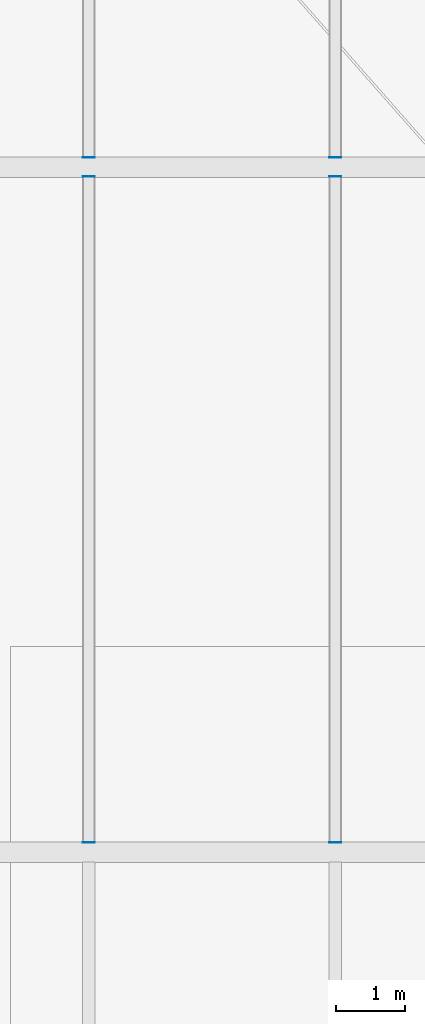
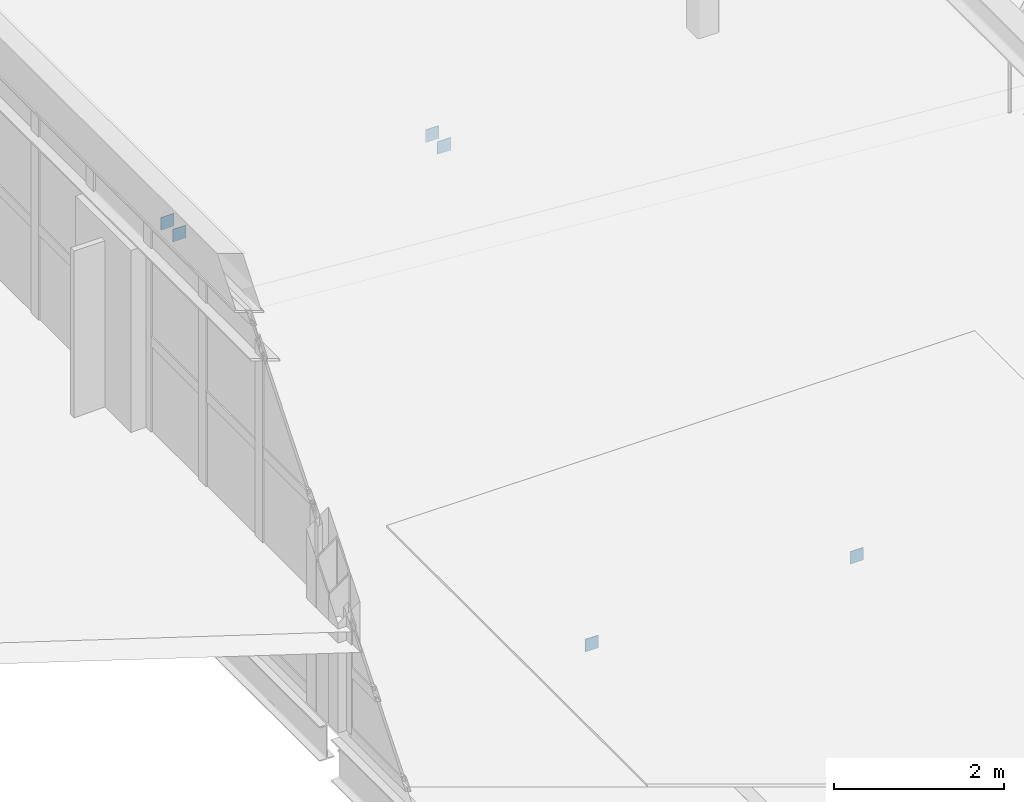
# One storey, part 68 of 86: 6 plates.
"""IFC4 building model written with IfcOpenShell, lengths in metres."""

import ifcopenshell
import ifcopenshell.guid

model = None  # the IFC model being written
_history = None  # IfcOwnerHistory: only IFC2X3 demands one
_inside = {}  # id of a spatial element -> (the spatial element, [elements in it])
_under = {}  # id of a project, library or spatial element -> (it, [spatial elements below it])
_declared = {}  # id of a project -> (the project, [libraries it declares])
_typed = {}  # id of a type object -> (the type object, [elements of that type])
_made_of = {}  # id of a material, layer set ... -> (it, [elements and type objects made of it])


def new_model(schema):
    """Start an empty IFC model of exactly this schema.

    Asked for "IFC4X3", IfcOpenShell would pick the latest addendum, in which some entities
    have other attributes; the version numbers below select the first issue.
    IFC2X3 requires an IfcOwnerHistory on every rooted entity: one is made here for all.
    """
    global model, _history
    if schema == "IFC4X3":
        model = ifcopenshell.file(schema_version=(4, 3, 0, 0))
    else:
        model = ifcopenshell.file(schema=schema)
    _inside.clear()
    _under.clear()
    _declared.clear()
    _typed.clear()
    _made_of.clear()
    _history = None
    if model.schema == "IFC2X3":
        org = make("IfcOrganization", Name="unknown")
        user = make(
            "IfcPersonAndOrganization",
            ThePerson=make("IfcPerson", FamilyName="unknown"),
            TheOrganization=org,
        )
        app = make(
            "IfcApplication",
            ApplicationDeveloper=org,
            Version="unknown",
            ApplicationFullName="unknown",
            ApplicationIdentifier="unknown",
        )
        _history = make(
            "IfcOwnerHistory",
            OwningUser=user,
            OwningApplication=app,
            ChangeAction="ADDED",
            CreationDate=0,
        )
    return model


def make(cls, **values):
    """One entity of the class cls with the attributes given. An attribute that is None is left unset."""
    return model.create_entity(
        cls, **{name: value for name, value in values.items() if value is not None}
    )


def rooted(cls, **values):
    """An entity with a GlobalId (a new one), such as an element, a storey or a relation."""
    return make(cls, GlobalId=ifcopenshell.guid.new(), OwnerHistory=_history, **values)


def si_unit(unit_type, name, prefix=None):
    """IfcSIUnit, for example si_unit("LENGTHUNIT", "METRE", prefix="MILLI")."""
    return make("IfcSIUnit", UnitType=unit_type, Prefix=prefix, Name=name)


def assignment(units):
    """IfcUnitAssignment: the units of a project."""
    return None if units is None else make("IfcUnitAssignment", Units=units)


def point(xyz):
    """IfcCartesianPoint."""
    return None if xyz is None else make("IfcCartesianPoint", Coordinates=xyz)


def direction(xyz):
    """IfcDirection."""
    return None if xyz is None else make("IfcDirection", DirectionRatios=xyz)


def frame(location, z_axis=None, x_axis=None):
    """IfcAxis2Placement3D, a coordinate frame: its origin and axes. An axis left out is left unset."""
    return make(
        "IfcAxis2Placement3D",
        Location=point(location),
        Axis=direction(z_axis),
        RefDirection=direction(x_axis),
    )


def frame_2d(location, x_axis=None):
    """IfcAxis2Placement2D, a coordinate frame in the plane: its origin and x axis."""
    return make(
        "IfcAxis2Placement2D", Location=point(location), RefDirection=direction(x_axis)
    )


def origin():
    """The frame at (0, 0, 0) with its axes left unset."""
    return frame((0.0, 0.0, 0.0))


def origin_2d():
    """The frame at (0, 0) in the plane with its x axis left unset."""
    return frame_2d((0.0, 0.0))


def place(relative_to, where):
    """IfcLocalPlacement: puts the frame where relative to a parent placement (None: the world)."""
    return make(
        "IfcLocalPlacement", PlacementRelTo=relative_to, RelativePlacement=where
    )


def context(
    kind, dimensions, precision=None, world=None, true_north=None, identifier=None
):
    """IfcGeometricRepresentationContext, for example the 3D "Model" context."""
    return make(
        "IfcGeometricRepresentationContext",
        ContextIdentifier=identifier,
        ContextType=kind,
        CoordinateSpaceDimension=dimensions,
        Precision=precision,
        WorldCoordinateSystem=world,
        TrueNorth=true_north,
    )


def subcontext(parent, identifier, kind, view, scale=None):
    """IfcGeometricRepresentationSubContext, for example "Body" below "Model"."""
    return make(
        "IfcGeometricRepresentationSubContext",
        ContextIdentifier=identifier,
        ContextType=kind,
        ParentContext=parent,
        TargetScale=scale,
        TargetView=view,
    )


def project(units=None, contexts=None):
    """IfcProject with its units and contexts."""
    return rooted(
        "IfcProject",
        Name="project",
        RepresentationContexts=contexts,
        UnitsInContext=assignment(units),
    )


def spatial(cls, under=None, at=None, **own):
    """A site, building, storey or space (cls), placed at a placement, below another one or the project."""
    s = rooted(cls, ObjectPlacement=at, **own)
    if under is not None:
        _under.setdefault(under.id(), (under, []))[1].append(s)
    return s


def profile(cls, at=None, kind="AREA", **sizes):
    """A parametric profile (cls). Its sizes go by their IFC names, for example OverallWidth=200.0."""
    return make(cls, ProfileType=kind, Position=at, **sizes)


def rectangle(**sizes):
    """IfcRectangleProfileDef."""
    return profile("IfcRectangleProfileDef", **sizes)


def extrude(swept, where, along, depth):
    """IfcExtrudedAreaSolid: the profile swept, set in the frame where, extruded along a direction by depth."""
    return make(
        "IfcExtrudedAreaSolid",
        SweptArea=swept,
        Position=where,
        ExtrudedDirection=direction(along),
        Depth=depth,
    )


def shape(context_of_items, identifier, shape_type, items):
    """IfcShapeRepresentation: the items that make up one representation, for example the "Body"."""
    return make(
        "IfcShapeRepresentation",
        ContextOfItems=context_of_items,
        RepresentationIdentifier=identifier,
        RepresentationType=shape_type,
        Items=items,
    )


def material(Name=None, Category=None):
    """IfcMaterial."""
    return make("IfcMaterial", Name=Name, Category=Category)


def layer(
    of_material, thickness, ventilated=None, Name=None, Category=None, Priority=None
):
    """IfcMaterialLayer: one layer of a wall or slab, of a material (None: an air gap)."""
    return make(
        "IfcMaterialLayer",
        Material=of_material,
        LayerThickness=thickness,
        IsVentilated=ventilated,
        Name=Name,
        Category=Category,
        Priority=Priority,
    )


def layer_set(layers, Name=None):
    """IfcMaterialLayerSet."""
    return make("IfcMaterialLayerSet", MaterialLayers=layers, LayerSetName=Name)


def made_of(thing, what):
    """Note that an element or type object is made of a material, layer set ...; save() writes the relation."""
    if what is not None:
        _made_of.setdefault(what.id(), (what, []))[1].append(thing)
    return thing


def type_object(cls, material=None, **own):
    """A type object (cls), such as IfcWallType, which elements share."""
    return made_of(rooted(cls, **own), material)


def element(
    cls,
    number,
    at=None,
    inside=None,
    cuts=None,
    type_object=None,
    material=None,
    context=None,
    identifier="Body",
    shape_type=None,
    held_by="IfcProductDefinitionShape",
    body=None,
    shapes=None,
    **own,
):
    """One element of the class cls, such as IfcWall. Its Tag is "e" and its number.

    at: its placement. inside: the storey or other place that contains it. cuts: it is an
    opening in that element (IfcRelVoidsElement). A single representation is given by context,
    identifier, shape_type and body (its items); several are given by shapes. held_by: the class
    of the entity that holds the representations. save() writes the other relations.
    """
    e = rooted(cls, Tag="e%d" % number, ObjectPlacement=at, **own)
    if body is not None:
        shapes = [shape(context, identifier, shape_type, body)]
    if shapes is not None:
        e.Representation = make(held_by, Representations=shapes)
    if inside is not None:
        _inside.setdefault(inside.id(), (inside, []))[1].append(e)
    if cuts is not None:
        rooted(
            "IfcRelVoidsElement", RelatingBuildingElement=cuts, RelatedOpeningElement=e
        )
    if type_object is not None:
        _typed.setdefault(type_object.id(), (type_object, []))[1].append(e)
    return made_of(e, material)


def aggregate(whole, parts):
    """IfcRelAggregates: a whole, such as a stair, and the parts it consists of."""
    return rooted("IfcRelAggregates", RelatingObject=whole, RelatedObjects=parts)


def save(model, path):
    """Write the relations noted so far, then the file.

    IfcRelAggregates (storeys below a building ...), IfcRelContainedInSpatialStructure (elements
    in a storey), IfcRelDefinesByType, IfcRelAssociatesMaterial and IfcRelDeclares: one each for
    every whole, place, type object, material and project.
    """
    for whole, parts in _under.values():
        aggregate(whole, parts)
    for where, things in _inside.values():
        rooted(
            "IfcRelContainedInSpatialStructure",
            RelatedElements=things,
            RelatingStructure=where,
        )
    for kind, things in _typed.values():
        rooted("IfcRelDefinesByType", RelatedObjects=things, RelatingType=kind)
    for what, things in _made_of.values():
        rooted("IfcRelAssociatesMaterial", RelatedObjects=things, RelatingMaterial=what)
    for by, libraries in _declared.values():
        rooted("IfcRelDeclares", RelatingContext=by, RelatedDefinitions=libraries)
    model.write(path)


model = new_model("IFC4")

# Units and contexts
model_context = context("Model", 3, precision=1e-05, world=origin(), true_north=direction((0.0, 1.0)))
body_context = subcontext(model_context, "Body", "Model", "MODEL_VIEW")
ifc_project = project(units=[si_unit("LENGTHUNIT", "METRE"), si_unit("AREAUNIT", "SQUARE_METRE"), si_unit("VOLUMEUNIT", "CUBIC_METRE"), si_unit("PLANEANGLEUNIT", "RADIAN"), si_unit("MASSUNIT", "GRAM", prefix="KILO")], contexts=[model_context])

# Site, building, storey
site_placement = place(None, origin())
site = spatial("IfcSite", under=ifc_project, at=site_placement, CompositionType="ELEMENT")
building_placement = place(site_placement, origin())
building = spatial("IfcBuilding", under=site, at=building_placement, Name="Tasgan Crest Museum", CompositionType="ELEMENT")
storey_placement = place(building_placement, frame((0.0, 0.0, 24.0)))
storey = spatial("IfcBuildingStorey", under=building, at=storey_placement, Name="L04", CompositionType="ELEMENT", Elevation=24.0)

# Plates
ifc_material = material(Name="Steel S355K2", Category="steel")
ifc_layer = layer(ifc_material, 0.179931640625, Name="PL-CAP-10x180x180")
ifc_layer_set = layer_set([ifc_layer], Name="Steel S355K2")
plate_type = type_object("IfcPlateType", Name="PL-CAP-10x180x180", PredefinedType="USERDEFINED", material=ifc_layer_set)
for number, where, z_axis, x_axis, name in (
    (1, (57.60009765625, 62.139892578125, -0.419921875), (0.0, 0.0, 1.0), (0.0, 1.0, 0.0), "End plate Secondary joist L04 X=57.6 Y=62.0-72.0 end A"),
    (2, (57.60009765625, 71.860107421875, -0.419921875), (0.0, 0.0, 1.0), (0.0, 1.0, 0.0), "End plate Secondary joist L04 X=57.6 Y=62.0-72.0 end B"),
    (3, (61.199951171875, 62.139892578125, -0.419921875), (0.0, 0.0, 1.0), (0.0, 1.0, 0.0), "End plate Secondary joist L04 X=61.2 Y=62.0-72.0 end A"),
    (4, (61.199951171875, 71.860107421875, -0.419921875), (0.0, 0.0, 1.0), (0.0, 1.0, 0.0), "End plate Secondary joist L04 X=61.2 Y=62.0-72.0 end B"),
    (5, (57.60009765625, 72.139892578125, -0.419921875), (0.0, 0.0, 1.0), (0.0, 1.0, 0.0), "End plate Secondary joist L04 X=57.6 Y=72.0-82.0 end A"),
    (6, (61.199951171875, 72.139892578125, -0.419921875), (0.0, 0.0, 1.0), (0.0, 1.0, 0.0), "End plate Secondary joist L04 X=61.2 Y=72.0-82.0 end A"),
):
    element("IfcPlate", number, at=place(storey_placement, frame(where, z_axis=z_axis, x_axis=x_axis)), inside=storey, type_object=plate_type, Name=name, ObjectType="END PLATE", PredefinedType="USERDEFINED", context=body_context, shape_type="SweptSolid", body=[
        extrude(rectangle(XDim=0.010009765625, YDim=0.179931640625, at=origin_2d()), origin(), (0.0, 0.0, 1.0), 0.179931640625),
    ])

save(model, "model.ifc")
